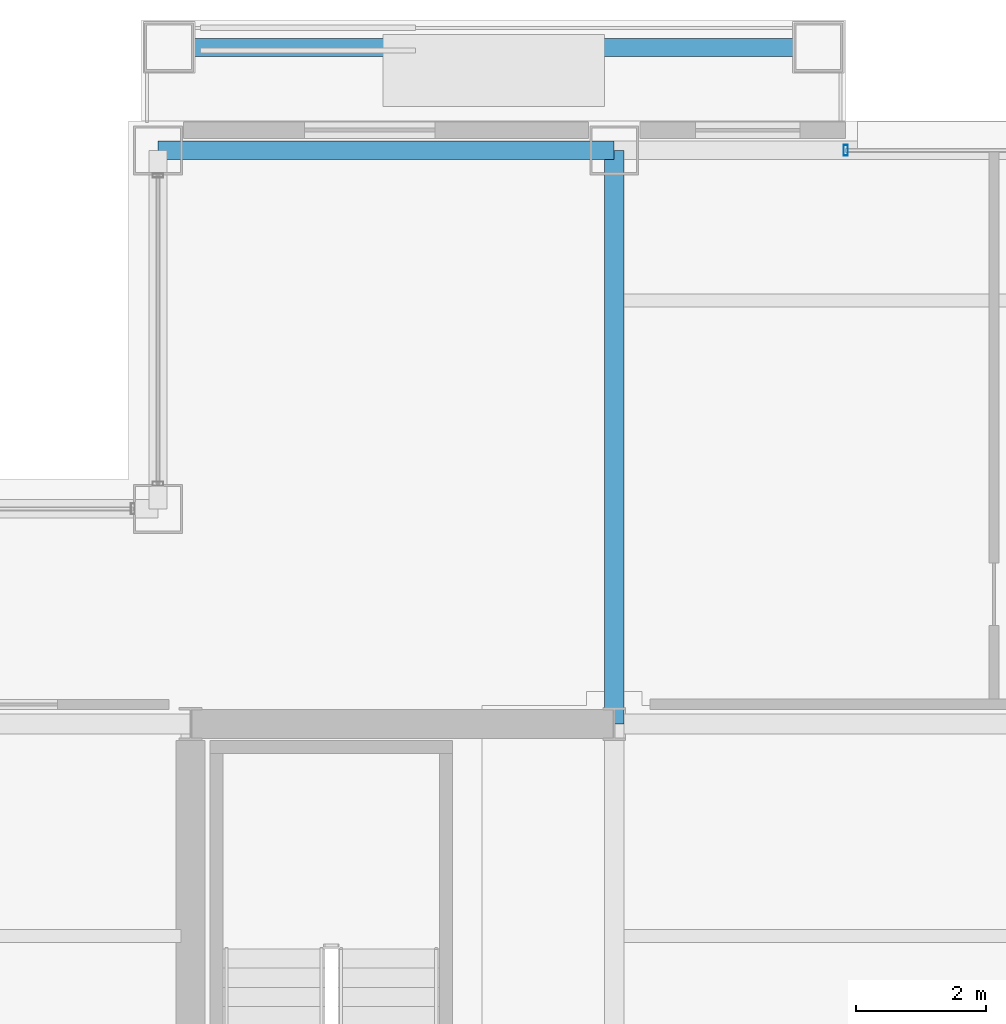
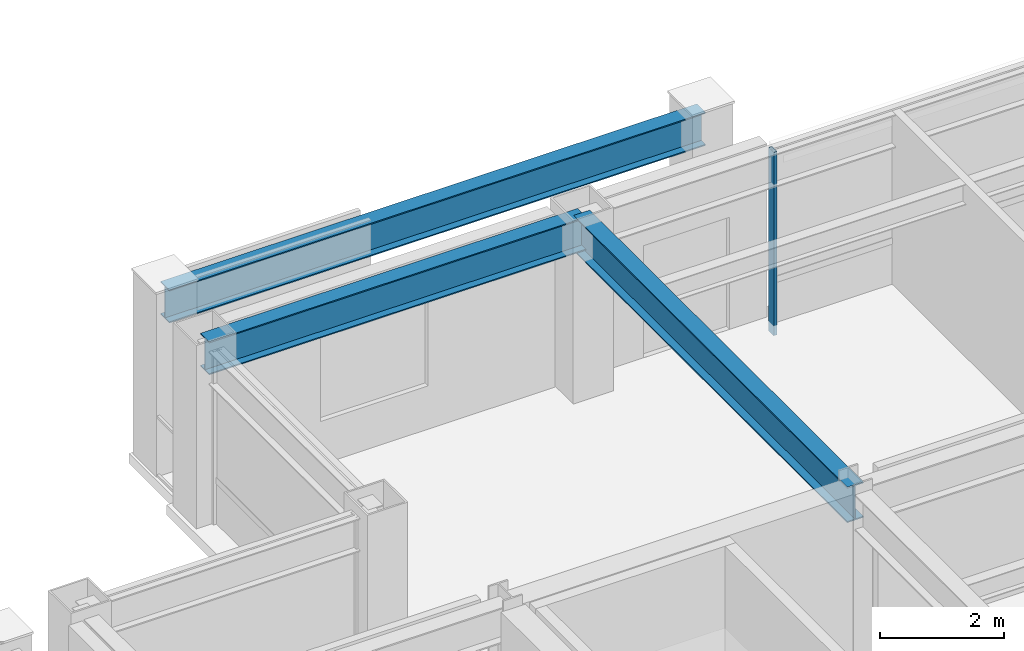
# One storey, part 19 of 27: 3 beams, 1 member, 1 element without a shape of its own.
"""IFC4 building model written with IfcOpenShell, lengths in metres."""

from ifc_helpers import new_model, si_unit, direction, frame, origin, origin_2d, place, context, subcontext, project, spatial, hollow_rectangle, i_section, extrude, material, layer, layer_set, material_profile, profile_set, type_object, element, aggregate, save


model = new_model("IFC4")

# Units and contexts
model_context = context("Model", 3, precision=1e-05, world=origin(), true_north=direction((0.0, 1.0)))
body_context = subcontext(model_context, "Body", "Model", "MODEL_VIEW")
ifc_project = project(units=[si_unit("LENGTHUNIT", "METRE"), si_unit("AREAUNIT", "SQUARE_METRE"), si_unit("VOLUMEUNIT", "CUBIC_METRE"), si_unit("PLANEANGLEUNIT", "RADIAN"), si_unit("MASSUNIT", "GRAM", prefix="KILO")], contexts=[model_context])

# Site, building, storey
site_placement = place(None, origin())
site = spatial("IfcSite", under=ifc_project, at=site_placement, CompositionType="ELEMENT")
building_placement = place(site_placement, origin())
building = spatial("IfcBuilding", under=site, at=building_placement, Name="Brelmoor Portico Tower", CompositionType="ELEMENT")
storey_placement = place(building_placement, frame((0.0, 0.0, 158.699951171875)))
storey = spatial("IfcBuildingStorey", under=building, at=storey_placement, Name="L41", CompositionType="ELEMENT", Elevation=158.699951171875)

# Beams
ifc_material_1 = material(Name="Steel Q355B", Category="steel")
ifc_material_profile_1 = material_profile(ifc_material_1, i_section(OverallWidth=0.300048828125, OverallDepth=0.699951171875, WebThickness=0.012939453125, FlangeThickness=0.02392578125, at=origin_2d()), Name="HN 700x300x13x24")
ifc_profile_set_1 = profile_set([ifc_material_profile_1], Name="Steel Q355B")
beam_type_1 = type_object("IfcBeamType", Name="BM-PG-700", PredefinedType="BEAM", material=ifc_profile_set_1)
beam_1_placement = place(storey_placement, frame((-8.050048828125, 9.75, 3.050048828125), z_axis=(0.0, 1.0, 0.0), x_axis=(-1.0, 0.0, 0.0)))
element("IfcBeam", 1, at=beam_1_placement, inside=storey, type_object=beam_type_1, Name="L41 Primary Floor Girder PG-05", PredefinedType="BEAM", context=body_context, shape_type="SweptSolid", body=[
    extrude(i_section(OverallWidth=0.300048828125, OverallDepth=0.699951171875, WebThickness=0.012939453125, FlangeThickness=0.02392578125, at=origin_2d()), origin(), (0.0, 0.0, 1.0), 8.800048828125),
])
ifc_material_profile_2 = material_profile(ifc_material_1, i_section(OverallWidth=0.280029296875, OverallDepth=0.64990234375, WebThickness=0.012939453125, FlangeThickness=0.02197265625, at=origin_2d()), Name="HN 650x280x13x22")
ifc_profile_set_2 = profile_set([ifc_material_profile_2], Name="Steel Q355B")
beam_type_2 = type_object("IfcBeamType", Name="BM-SP-650", PredefinedType="SPANDREL", material=ifc_profile_set_2)
beam_2_placement = place(storey_placement, frame((-15.050048828125, 18.550048828125, 3.074951171875), z_axis=(1.0, 0.0, 0.0), x_axis=(0.0, 1.0, 0.0)))
element("IfcBeam", 2, at=beam_2_placement, inside=storey, type_object=beam_type_2, Name="L41 Perimeter Spandrel Beam SP-08", PredefinedType="SPANDREL", context=body_context, shape_type="SweptSolid", body=[
    extrude(i_section(OverallWidth=0.280029296875, OverallDepth=0.64990234375, WebThickness=0.012939453125, FlangeThickness=0.02197265625, at=origin_2d()), origin(), (0.0, 0.0, 1.0), 7.0),
])
beam_3_placement = place(storey_placement, frame((-14.8798828125, 20.1298828125, 3.074951171875), z_axis=(1.0, 0.0, 0.0), x_axis=(0.0, 1.0, 0.0)))
element("IfcBeam", 3, at=beam_3_placement, inside=storey, type_object=beam_type_2, Name="L41 Picture-Frame Perimeter Lintel Beam N1", PredefinedType="SPANDREL", context=body_context, shape_type="SweptSolid", body=[
    extrude(i_section(OverallWidth=0.280029296875, OverallDepth=0.64990234375, WebThickness=0.012939453125, FlangeThickness=0.02197265625, at=origin_2d()), origin(), (0.0, 0.0, 1.0), 9.9599609375),
])

# Curtain wall, member
ifc_material_2 = material(Name="Anodised Aluminium Alloy 6063-T6", Category="aluminium")
ifc_layer = layer(ifc_material_2, 0.179931640625)
ifc_layer_set = layer_set([ifc_layer], Name="Anodised Aluminium Alloy 6063-T6")
curtain_wall_type = type_object("IfcCurtainWallType", Name="CW-TOWER-Z3", PredefinedType="NOTDEFINED", material=ifc_layer_set)
curtain_wall_placement = place(storey_placement, origin())
curtain_wall = element("IfcCurtainWall", 4, at=curtain_wall_placement, inside=storey, type_object=curtain_wall_type, Name="L41 Curtain Wall CW-L41-2R-1", PredefinedType="NOTDEFINED")
ifc_material_profile_3 = material_profile(ifc_material_2, hollow_rectangle(XDim=0.06494140625, YDim=0.1650390625, WallThickness=0.00390625, at=origin_2d()), Name="ALU MULLION 65x165")
ifc_profile_set_3 = profile_set([ifc_material_profile_3], Name="Anodised Aluminium Alloy 6063-T6")
member_type = type_object("IfcMemberType", Name="MB-CW-MULL-165", PredefinedType="MULLION", material=ifc_profile_set_3)
member_placement = place(storey_placement, frame((-4.5, 18.550048828125, -0.199951171875), z_axis=(0.0, 0.0, 1.0), x_axis=(1.0, 0.0, 0.0)))
member = element("IfcMember", 5, at=member_placement, type_object=member_type, Name="CW-L41-2R-1 Mullion 00", PredefinedType="MULLION", context=body_context, shape_type="SweptSolid", body=[
    extrude(hollow_rectangle(XDim=0.06494140625, YDim=0.1650390625, WallThickness=0.00390625, at=origin_2d()), origin(), (0.0, 0.0, 1.0), 3.60009765625),
])
aggregate(curtain_wall, [member])

save(model, "model.ifc")
